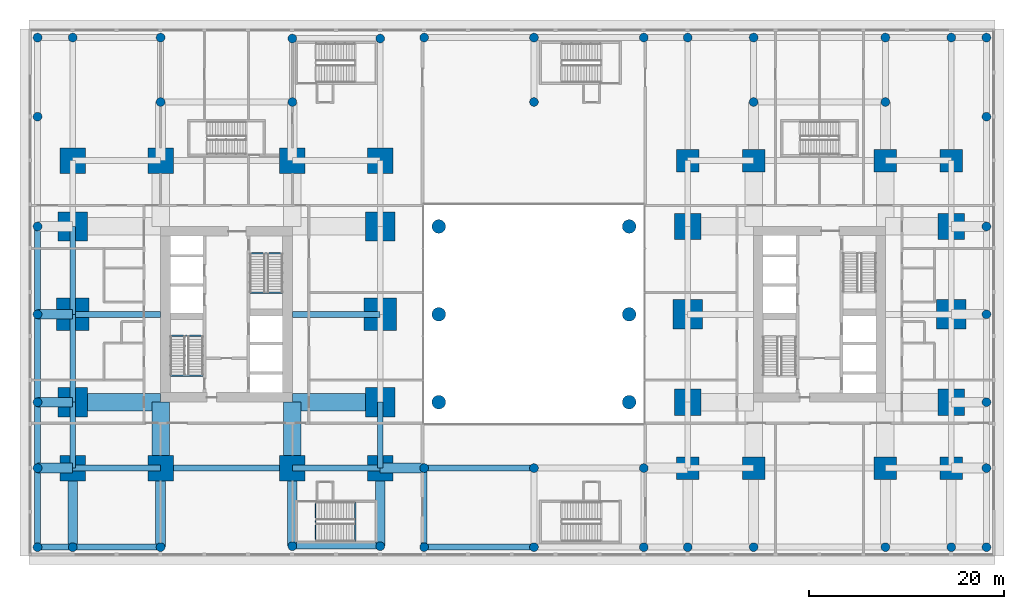
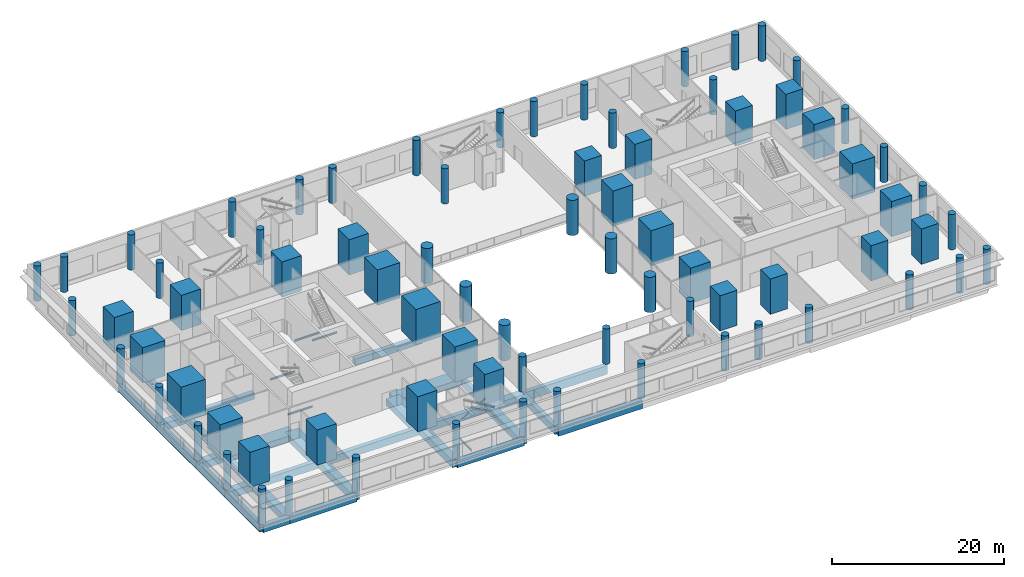
# One storey, part 1 of 21: 78 columns, 37 beams.
"""IFC4 building model written with IfcOpenShell, lengths in metres."""

from ifc_helpers import new_model, si_unit, direction, frame, origin, origin_2d, place, context, subcontext, project, spatial, rectangle, circle, i_section, extrude, material, material_profile, profile_set, type_object, element, save


model = new_model("IFC4")

# Units and contexts
model_context = context("Model", 3, precision=1e-05, world=origin(), true_north=direction((0.0, 1.0)))
body_context = subcontext(model_context, "Body", "Model", "MODEL_VIEW")
ifc_project = project(units=[si_unit("LENGTHUNIT", "METRE"), si_unit("AREAUNIT", "SQUARE_METRE"), si_unit("VOLUMEUNIT", "CUBIC_METRE"), si_unit("PLANEANGLEUNIT", "RADIAN"), si_unit("MASSUNIT", "GRAM", prefix="KILO")], contexts=[model_context])

# Site, building, storey
site_placement = place(None, origin())
site = spatial("IfcSite", under=ifc_project, at=site_placement, CompositionType="ELEMENT")
building_placement = place(site_placement, origin())
building = spatial("IfcBuilding", under=site, at=building_placement, Name="Namib Vertical Campus", CompositionType="ELEMENT")
storey_placement = place(building_placement, frame((0.0, 0.0, 6.0)))
storey = spatial("IfcBuildingStorey", under=building, at=storey_placement, Name="L01", CompositionType="ELEMENT", Elevation=6.0)

# Columns
ifc_material_1 = material(Name="Concrete C60/75", Category="concrete")
ifc_material_profile_1 = material_profile(ifc_material_1, circle(Radius=0.699951171875, at=origin_2d()))
ifc_profile_set_1 = profile_set([ifc_material_profile_1], Name="Concrete C60/75")
column_type_1 = type_object("IfcColumnType", Name="Atrium column RC D1400", PredefinedType="COLUMN", material=ifc_profile_set_1)
for number, where, z_axis, x_axis, name in (
    (1, (42.0, 11.25, 0.0), (0.0, 0.0, 1.0), (1.0, 0.0, 0.0), "Column PC14 L01"),
    (2, (61.5, 11.25, 0.0), (0.0, 0.0, 1.0), (1.0, 0.0, 0.0), "Column PC14 L01"),
    (3, (42.0, 20.25, 0.0), (0.0, 0.0, 1.0), (1.0, 0.0, 0.0), "Column PC14 L01"),
    (4, (61.5, 20.25, 0.0), (0.0, 0.0, 1.0), (1.0, 0.0, 0.0), "Column PC14 L01"),
    (5, (42.0, 29.25, 0.0), (0.0, 0.0, 1.0), (1.0, 0.0, 0.0), "Column PC14 L01"),
    (6, (61.5, 29.25, 0.0), (0.0, 0.0, 1.0), (1.0, 0.0, 0.0), "Column PC14 L01"),
):
    element("IfcColumn", number, at=place(storey_placement, frame(where, z_axis=z_axis, x_axis=x_axis)), inside=storey, type_object=column_type_1, Name=name, PredefinedType="COLUMN", context=body_context, shape_type="SweptSolid", body=[
        extrude(circle(Radius=0.699951171875, at=origin_2d()), origin(), (0.0, 0.0, 1.0), 5.0),
    ])
ifc_material_2 = material(Name="Concrete C60/75", Category="concrete")
ifc_material_profile_2 = material_profile(ifc_material_2, rectangle(XDim=2.300048828125, YDim=2.300048828125, at=origin_2d()))
ifc_profile_set_2 = profile_set([ifc_material_profile_2], Name="Concrete C60/75")
column_type_2 = type_object("IfcColumnType", Name="Column RC 2300x2300", PredefinedType="COLUMN", material=ifc_profile_set_2)
for number, where, z_axis, x_axis, name in (
    (7, (67.5, 4.5, 0.0), (0.0, 0.0, 1.0), (1.0, 0.0, 0.0), "Column C230 L01"),
    (8, (74.25, 4.5, 0.0), (0.0, 0.0, 1.0), (1.0, 0.0, 0.0), "Column C230 L01"),
    (9, (87.75, 4.5, 0.0), (0.0, 0.0, 1.0), (1.0, 0.0, 0.0), "Column C230 L01"),
    (10, (94.5, 4.5, 0.0), (0.0, 0.0, 1.0), (1.0, 0.0, 0.0), "Column C230 L01"),
    (11, (67.5, 36.0, 0.0), (0.0, 0.0, 1.0), (1.0, 0.0, 0.0), "Column C230 L01"),
    (12, (74.25, 36.0, 0.0), (0.0, 0.0, 1.0), (1.0, 0.0, 0.0), "Column C230 L01"),
    (13, (87.75, 36.0, 0.0), (0.0, 0.0, 1.0), (1.0, 0.0, 0.0), "Column C230 L01"),
    (14, (94.5, 36.0, 0.0), (0.0, 0.0, 1.0), (1.0, 0.0, 0.0), "Column C230 L01"),
):
    element("IfcColumn", number, at=place(storey_placement, frame(where, z_axis=z_axis, x_axis=x_axis)), inside=storey, type_object=column_type_2, Name=name, PredefinedType="COLUMN", context=body_context, shape_type="SweptSolid", body=[
        extrude(rectangle(XDim=2.300048828125, YDim=2.300048828125, at=origin_2d()), origin(), (0.0, 0.0, 1.0), 5.0),
    ])
ifc_material_3 = material(Name="Concrete C60/75", Category="concrete")
ifc_material_profile_3 = material_profile(ifc_material_3, rectangle(XDim=2.60009765625, YDim=2.60009765625, at=origin_2d()))
ifc_profile_set_3 = profile_set([ifc_material_profile_3], Name="Concrete C60/75")
column_type_3 = type_object("IfcColumnType", Name="Column RC 2600x2600", PredefinedType="COLUMN", material=ifc_profile_set_3)
for number, where, z_axis, x_axis, name in (
    (15, (4.5, 4.5, 0.0), (0.0, 0.0, 1.0), (1.0, 0.0, 0.0), "Column C260 L01"),
    (16, (13.5, 4.5, 0.0), (0.0, 0.0, 1.0), (1.0, 0.0, 0.0), "Column C260 L01"),
    (17, (27.0, 4.5, 0.0), (0.0, 0.0, 1.0), (1.0, 0.0, 0.0), "Column C260 L01"),
    (18, (36.0, 4.5, 0.0), (0.0, 0.0, 1.0), (1.0, 0.0, 0.0), "Column C260 L01"),
    (19, (4.5, 36.0, 0.0), (0.0, 0.0, 1.0), (1.0, 0.0, 0.0), "Column C260 L01"),
    (20, (13.5, 36.0, 0.0), (0.0, 0.0, 1.0), (1.0, 0.0, 0.0), "Column C260 L01"),
    (21, (27.0, 36.0, 0.0), (0.0, 0.0, 1.0), (1.0, 0.0, 0.0), "Column C260 L01"),
    (22, (36.0, 36.0, 0.0), (0.0, 0.0, 1.0), (1.0, 0.0, 0.0), "Column C260 L01"),
):
    element("IfcColumn", number, at=place(storey_placement, frame(where, z_axis=z_axis, x_axis=x_axis)), inside=storey, type_object=column_type_3, Name=name, PredefinedType="COLUMN", context=body_context, shape_type="SweptSolid", body=[
        extrude(rectangle(XDim=2.60009765625, YDim=2.60009765625, at=origin_2d()), origin(), (0.0, 0.0, 1.0), 5.0),
    ])
ifc_material_4 = material(Name="Concrete C60/75", Category="concrete")
ifc_material_profile_4 = material_profile(ifc_material_4, rectangle(XDim=2.699951171875, YDim=2.699951171875, at=origin_2d()))
ifc_profile_set_4 = profile_set([ifc_material_profile_4], Name="Concrete C60/75")
column_type_4 = type_object("IfcColumnType", Name="Column RC 2700x2700", PredefinedType="COLUMN", material=ifc_profile_set_4)
for number, where, z_axis, x_axis, name in (
    (23, (67.5, 11.25, 0.0), (0.0, 0.0, 1.0), (1.0, 0.0, 0.0), "Column C270 L01"),
    (24, (94.5, 11.25, 0.0), (0.0, 0.0, 1.0), (1.0, 0.0, 0.0), "Column C270 L01"),
    (25, (67.5, 29.25, 0.0), (0.0, 0.0, 1.0), (1.0, 0.0, 0.0), "Column C270 L01"),
    (26, (94.5, 29.25, 0.0), (0.0, 0.0, 1.0), (1.0, 0.0, 0.0), "Column C270 L01"),
):
    element("IfcColumn", number, at=place(storey_placement, frame(where, z_axis=z_axis, x_axis=x_axis)), inside=storey, type_object=column_type_4, Name=name, PredefinedType="COLUMN", context=body_context, shape_type="SweptSolid", body=[
        extrude(rectangle(XDim=2.699951171875, YDim=2.699951171875, at=origin_2d()), origin(), (0.0, 0.0, 1.0), 5.0),
    ])
ifc_material_5 = material(Name="Concrete C60/75", Category="concrete")
ifc_material_profile_5 = material_profile(ifc_material_5, rectangle(XDim=3.0, YDim=3.0, at=origin_2d()))
ifc_profile_set_5 = profile_set([ifc_material_profile_5], Name="Concrete C60/75")
column_type_5 = type_object("IfcColumnType", Name="Column RC 3000x3000", PredefinedType="COLUMN", material=ifc_profile_set_5)
for number, where, z_axis, x_axis, name in (
    (27, (4.5, 11.25, 0.0), (0.0, 0.0, 1.0), (1.0, 0.0, 0.0), "Column C300 L01"),
    (28, (36.0, 11.25, 0.0), (0.0, 0.0, 1.0), (1.0, 0.0, 0.0), "Column C300 L01"),
    (29, (4.5, 29.25, 0.0), (0.0, 0.0, 1.0), (1.0, 0.0, 0.0), "Column C300 L01"),
    (30, (36.0, 29.25, 0.0), (0.0, 0.0, 1.0), (1.0, 0.0, 0.0), "Column C300 L01"),
    (31, (67.5, 20.25, 0.0), (0.0, 0.0, 1.0), (1.0, 0.0, 0.0), "Column C300 L01"),
    (32, (94.5, 20.25, 0.0), (0.0, 0.0, 1.0), (1.0, 0.0, 0.0), "Column C300 L01"),
):
    element("IfcColumn", number, at=place(storey_placement, frame(where, z_axis=z_axis, x_axis=x_axis)), inside=storey, type_object=column_type_5, Name=name, PredefinedType="COLUMN", context=body_context, shape_type="SweptSolid", body=[
        extrude(rectangle(XDim=3.0, YDim=3.0, at=origin_2d()), origin(), (0.0, 0.0, 1.0), 5.0),
    ])
ifc_material_6 = material(Name="Concrete C60/75", Category="concrete")
ifc_material_profile_6 = material_profile(ifc_material_6, rectangle(XDim=3.300048828125, YDim=3.300048828125, at=origin_2d()))
ifc_profile_set_6 = profile_set([ifc_material_profile_6], Name="Concrete C60/75")
column_type_6 = type_object("IfcColumnType", Name="Column RC 3300x3300", PredefinedType="COLUMN", material=ifc_profile_set_6)
for number, where, z_axis, x_axis, name in (
    (33, (4.5, 20.25, 0.0), (0.0, 0.0, 1.0), (1.0, 0.0, 0.0), "Column C330 L01"),
    (34, (36.0, 20.25, 0.0), (0.0, 0.0, 1.0), (1.0, 0.0, 0.0), "Column C330 L01"),
):
    element("IfcColumn", number, at=place(storey_placement, frame(where, z_axis=z_axis, x_axis=x_axis)), inside=storey, type_object=column_type_6, Name=name, PredefinedType="COLUMN", context=body_context, shape_type="SweptSolid", body=[
        extrude(rectangle(XDim=3.300048828125, YDim=3.300048828125, at=origin_2d()), origin(), (0.0, 0.0, 1.0), 5.0),
    ])
ifc_material_7 = material(Name="Concrete C60/75", Category="concrete")
ifc_material_profile_7 = material_profile(ifc_material_7, circle(Radius=0.449951171875, at=origin_2d()))
ifc_profile_set_7 = profile_set([ifc_material_profile_7], Name="Concrete C60/75")
column_type_7 = type_object("IfcColumnType", Name="Podium column RC D900", PredefinedType="COLUMN", material=ifc_profile_set_7)
for number, where, z_axis, x_axis, name in (
    (35, (0.89990234375, -3.60009765625, 0.0), (0.0, 0.0, 1.0), (1.0, 0.0, 0.0), "Column PC9 L01"),
    (36, (4.5, -3.60009765625, 0.0), (0.0, 0.0, 1.0), (1.0, 0.0, 0.0), "Column PC9 L01"),
    (37, (13.5, -3.60009765625, 0.0), (0.0, 0.0, 1.0), (1.0, 0.0, 0.0), "Column PC9 L01"),
    (38, (27.0, -3.5, 0.0), (0.0, 0.0, 1.0), (1.0, 0.0, 0.0), "Column PC9 L01"),
    (39, (36.0, -3.5, 0.0), (0.0, 0.0, 1.0), (1.0, 0.0, 0.0), "Column PC9 L01"),
    (40, (40.5, -3.60009765625, 0.0), (0.0, 0.0, 1.0), (1.0, 0.0, 0.0), "Column PC9 L01"),
    (41, (51.75, -3.60009765625, 0.0), (0.0, 0.0, 1.0), (1.0, 0.0, 0.0), "Column PC9 L01"),
    (42, (63.0, -3.60009765625, 0.0), (0.0, 0.0, 1.0), (1.0, 0.0, 0.0), "Column PC9 L01"),
    (43, (67.5, -3.60009765625, 0.0), (0.0, 0.0, 1.0), (1.0, 0.0, 0.0), "Column PC9 L01"),
    (44, (74.25, -3.60009765625, 0.0), (0.0, 0.0, 1.0), (1.0, 0.0, 0.0), "Column PC9 L01"),
    (45, (87.75, -3.60009765625, 0.0), (0.0, 0.0, 1.0), (1.0, 0.0, 0.0), "Column PC9 L01"),
    (46, (94.5, -3.60009765625, 0.0), (0.0, 0.0, 1.0), (1.0, 0.0, 0.0), "Column PC9 L01"),
    (47, (98.10009765625, -3.60009765625, 0.0), (0.0, 0.0, 1.0), (1.0, 0.0, 0.0), "Column PC9 L01"),
    (48, (0.89990234375, 4.5, 0.0), (0.0, 0.0, 1.0), (1.0, 0.0, 0.0), "Column PC9 L01"),
    (49, (40.5, 4.5, 0.0), (0.0, 0.0, 1.0), (1.0, 0.0, 0.0), "Column PC9 L01"),
    (50, (51.75, 4.5, 0.0), (0.0, 0.0, 1.0), (1.0, 0.0, 0.0), "Column PC9 L01"),
    (51, (63.0, 4.5, 0.0), (0.0, 0.0, 1.0), (1.0, 0.0, 0.0), "Column PC9 L01"),
    (52, (98.10009765625, 4.5, 0.0), (0.0, 0.0, 1.0), (1.0, 0.0, 0.0), "Column PC9 L01"),
    (53, (0.89990234375, 11.25, 0.0), (0.0, 0.0, 1.0), (1.0, 0.0, 0.0), "Column PC9 L01"),
    (54, (98.10009765625, 11.25, 0.0), (0.0, 0.0, 1.0), (1.0, 0.0, 0.0), "Column PC9 L01"),
    (55, (0.89990234375, 20.25, 0.0), (0.0, 0.0, 1.0), (1.0, 0.0, 0.0), "Column PC9 L01"),
    (56, (98.10009765625, 20.25, 0.0), (0.0, 0.0, 1.0), (1.0, 0.0, 0.0), "Column PC9 L01"),
    (57, (0.89990234375, 29.25, 0.0), (0.0, 0.0, 1.0), (1.0, 0.0, 0.0), "Column PC9 L01"),
    (58, (98.10009765625, 29.25, 0.0), (0.0, 0.0, 1.0), (1.0, 0.0, 0.0), "Column PC9 L01"),
    (59, (0.89990234375, 40.5, 0.0), (0.0, 0.0, 1.0), (1.0, 0.0, 0.0), "Column PC9 L01"),
    (60, (13.5, 42.0, 0.0), (0.0, 0.0, 1.0), (1.0, 0.0, 0.0), "Column PC9 L01"),
    (61, (27.0, 42.0, 0.0), (0.0, 0.0, 1.0), (1.0, 0.0, 0.0), "Column PC9 L01"),
    (62, (51.75, 42.0, 0.0), (0.0, 0.0, 1.0), (1.0, 0.0, 0.0), "Column PC9 L01"),
    (63, (74.25, 42.0, 0.0), (0.0, 0.0, 1.0), (1.0, 0.0, 0.0), "Column PC9 L01"),
    (64, (87.75, 42.0, 0.0), (0.0, 0.0, 1.0), (1.0, 0.0, 0.0), "Column PC9 L01"),
    (65, (98.10009765625, 40.5, 0.0), (0.0, 0.0, 1.0), (1.0, 0.0, 0.0), "Column PC9 L01"),
    (66, (0.89990234375, 48.60009765625, 0.0), (0.0, 0.0, 1.0), (1.0, 0.0, 0.0), "Column PC9 L01"),
    (67, (4.5, 48.60009765625, 0.0), (0.0, 0.0, 1.0), (1.0, 0.0, 0.0), "Column PC9 L01"),
    (68, (13.5, 48.60009765625, 0.0), (0.0, 0.0, 1.0), (1.0, 0.0, 0.0), "Column PC9 L01"),
    (69, (27.0, 48.5, 0.0), (0.0, 0.0, 1.0), (1.0, 0.0, 0.0), "Column PC9 L01"),
    (70, (36.0, 48.5, 0.0), (0.0, 0.0, 1.0), (1.0, 0.0, 0.0), "Column PC9 L01"),
    (71, (40.5, 48.60009765625, 0.0), (0.0, 0.0, 1.0), (1.0, 0.0, 0.0), "Column PC9 L01"),
    (72, (51.75, 48.60009765625, 0.0), (0.0, 0.0, 1.0), (1.0, 0.0, 0.0), "Column PC9 L01"),
    (73, (63.0, 48.60009765625, 0.0), (0.0, 0.0, 1.0), (1.0, 0.0, 0.0), "Column PC9 L01"),
    (74, (67.5, 48.60009765625, 0.0), (0.0, 0.0, 1.0), (1.0, 0.0, 0.0), "Column PC9 L01"),
    (75, (74.25, 48.60009765625, 0.0), (0.0, 0.0, 1.0), (1.0, 0.0, 0.0), "Column PC9 L01"),
    (76, (87.75, 48.60009765625, 0.0), (0.0, 0.0, 1.0), (1.0, 0.0, 0.0), "Column PC9 L01"),
    (77, (94.5, 48.60009765625, 0.0), (0.0, 0.0, 1.0), (1.0, 0.0, 0.0), "Column PC9 L01"),
    (78, (98.10009765625, 48.60009765625, 0.0), (0.0, 0.0, 1.0), (1.0, 0.0, 0.0), "Column PC9 L01"),
):
    element("IfcColumn", number, at=place(storey_placement, frame(where, z_axis=z_axis, x_axis=x_axis)), inside=storey, type_object=column_type_7, Name=name, PredefinedType="COLUMN", context=body_context, shape_type="SweptSolid", body=[
        extrude(circle(Radius=0.449951171875, at=origin_2d()), origin(), (0.0, 0.0, 1.0), 5.0),
    ])

# Beams
ifc_material_8 = material(Name="Concrete C40/50", Category="concrete")
ifc_material_profile_8 = material_profile(ifc_material_8, rectangle(XDim=0.60009765625, YDim=0.89990234375, at=origin_2d()))
ifc_profile_set_8 = profile_set([ifc_material_profile_8], Name="Concrete C40/50")
beam_type_1 = type_object("IfcBeamType", Name="Floor girder RC 600x900", PredefinedType="BEAM", material=ifc_profile_set_8)
for number, where, z_axis, x_axis, name in (
    (79, (4.5, 20.25, -0.75), (1.0, 0.0, 0.0), (0.0, 1.0, 0.0), "Beam B2 L01"),
    (80, (36.0, 20.25, -0.75), (-1.0, 0.0, 0.0), (0.0, -1.0, 0.0), "Beam B2 L01"),
):
    element("IfcBeam", number, at=place(storey_placement, frame(where, z_axis=z_axis, x_axis=x_axis)), inside=storey, type_object=beam_type_1, Name=name, PredefinedType="BEAM", context=body_context, shape_type="SweptSolid", body=[
        extrude(rectangle(XDim=0.60009765625, YDim=0.89990234375, at=origin_2d()), origin(), (0.0, 0.0, 1.0), 9.0),
    ])
ifc_material_9 = material(Name="Steel S355JR", Category="steel")
ifc_material_profile_9 = material_profile(ifc_material_9, i_section(OverallWidth=0.14599609375, OverallDepth=0.25146484375, WebThickness=0.006103515625, FlangeThickness=0.008544921875, FilletRadius=0.007568359375, at=origin_2d()))
ifc_profile_set_9 = profile_set([ifc_material_profile_9], Name="Steel S355JR")
beam_type_2 = type_object("IfcBeamType", Name="Landing trimmer UB 254x146x31", PredefinedType="BEAM", material=ifc_profile_set_9)
for number, where, z_axis, x_axis, name in (
    (81, (14.5, 13.97705078125, -0.125732421875), (1.0, 0.0, 0.0), (0.0, 1.0, 0.0), "Landing trimmer LT1 A-S1 L01 1"),
    (82, (14.5, 18.04296875, 2.374267578125), (1.0, 0.0, 0.0), (0.0, 1.0, 0.0), "Landing trimmer LT1 A-S1 L01 2"),
    (83, (22.64990234375, 26.52294921875, -0.125732421875), (1.0, 0.0, 0.0), (0.0, 1.0, 0.0), "Landing trimmer LT1 A-S2 L01 1"),
    (84, (22.64990234375, 22.45703125, 2.374267578125), (1.0, 0.0, 0.0), (0.0, 1.0, 0.0), "Landing trimmer LT1 A-S2 L01 2"),
):
    element("IfcBeam", number, at=place(storey_placement, frame(where, z_axis=z_axis, x_axis=x_axis)), inside=storey, type_object=beam_type_2, Name=name, PredefinedType="BEAM", context=body_context, shape_type="SweptSolid", body=[
        extrude(i_section(OverallWidth=0.14599609375, OverallDepth=0.25146484375, WebThickness=0.006103515625, FlangeThickness=0.008544921875, FilletRadius=0.007568359375, at=origin_2d()), origin(), (0.0, 0.0, 1.0), 3.35009765625),
    ])
for number, where, z_axis, x_axis, name in (
    (85, (29.373046875, -3.0, -0.125732421875), (0.0, 1.0, 0.0), (-1.0, 0.0, 0.0), "Landing trimmer LT1 P-S2 L01 1"),
    (86, (33.439208984375, -3.0, 2.374267578125), (0.0, 1.0, 0.0), (-1.0, 0.0, 0.0), "Landing trimmer LT1 P-S2 L01 2"),
):
    element("IfcBeam", number, at=place(storey_placement, frame(where, z_axis=z_axis, x_axis=x_axis)), inside=storey, type_object=beam_type_2, Name=name, PredefinedType="BEAM", context=body_context, shape_type="SweptSolid", body=[
        extrude(i_section(OverallWidth=0.14599609375, OverallDepth=0.25146484375, WebThickness=0.006103515625, FlangeThickness=0.008544921875, FilletRadius=0.007568359375, at=origin_2d()), origin(), (0.0, 0.0, 1.0), 4.0),
    ])
ifc_material_10 = material(Name="Concrete C40/50", Category="concrete")
ifc_material_profile_10 = material_profile(ifc_material_10, rectangle(XDim=0.60009765625, YDim=1.199951171875, at=origin_2d()))
ifc_profile_set_10 = profile_set([ifc_material_profile_10], Name="Concrete C40/50")
beam_type_3 = type_object("IfcBeamType", Name="Long-span podium beam RC 600x1200", PredefinedType="BEAM", material=ifc_profile_set_10)
for number, where, z_axis, x_axis, name in (
    (87, (40.5, -3.60009765625, -0.89990234375), (1.0, 0.0, 0.0), (0.0, 1.0, 0.0), "Beam PB4 L01"),
    (88, (40.5, 4.5, -0.89990234375), (1.0, 0.0, 0.0), (0.0, 1.0, 0.0), "Beam PB4 L01"),
):
    element("IfcBeam", number, at=place(storey_placement, frame(where, z_axis=z_axis, x_axis=x_axis)), inside=storey, type_object=beam_type_3, Name=name, PredefinedType="BEAM", context=body_context, shape_type="SweptSolid", body=[
        extrude(rectangle(XDim=0.60009765625, YDim=1.199951171875, at=origin_2d()), origin(), (0.0, 0.0, 1.0), 11.25),
    ])
ifc_material_11 = material(Name="Concrete C40/50", Category="concrete")
ifc_material_profile_11 = material_profile(ifc_material_11, rectangle(XDim=1.800048828125, YDim=0.89990234375, at=origin_2d()))
ifc_profile_set_11 = profile_set([ifc_material_profile_11], Name="Concrete C40/50")
beam_type_4 = type_object("IfcBeamType", Name="Outrigger line girder RC 1800x900", PredefinedType="BEAM", material=ifc_profile_set_11)
for number, where, z_axis, x_axis, name in (
    (89, (13.5, 4.5, -0.75), (0.0, 1.0, 0.0), (-1.0, 0.0, 0.0), "Beam B12 L01"),
    (90, (27.0, 4.5, -0.75), (0.0, 1.0, 0.0), (-1.0, 0.0, 0.0), "Beam B12 L01"),
):
    element("IfcBeam", number, at=place(storey_placement, frame(where, z_axis=z_axis, x_axis=x_axis)), inside=storey, type_object=beam_type_4, Name=name, PredefinedType="BEAM", context=body_context, shape_type="SweptSolid", body=[
        extrude(rectangle(XDim=1.800048828125, YDim=0.89990234375, at=origin_2d()), origin(), (0.0, 0.0, 1.0), 6.75),
    ])
for number, where, z_axis, x_axis, name in (
    (91, (4.5, 11.25, -0.75), (1.0, 0.0, 0.0), (0.0, 1.0, 0.0), "Beam B12 L01"),
    (92, (36.0, 11.25, -0.75), (-1.0, 0.0, 0.0), (0.0, -1.0, 0.0), "Beam B12 L01"),
):
    element("IfcBeam", number, at=place(storey_placement, frame(where, z_axis=z_axis, x_axis=x_axis)), inside=storey, type_object=beam_type_4, Name=name, PredefinedType="BEAM", context=body_context, shape_type="SweptSolid", body=[
        extrude(rectangle(XDim=1.800048828125, YDim=0.89990234375, at=origin_2d()), origin(), (0.0, 0.0, 1.0), 9.0),
    ])
ifc_material_12 = material(Name="Concrete C40/50", Category="concrete")
ifc_material_profile_12 = material_profile(ifc_material_12, rectangle(XDim=0.60009765625, YDim=1.0, at=origin_2d()))
ifc_profile_set_12 = profile_set([ifc_material_profile_12], Name="Concrete C40/50")
beam_type_5 = type_object("IfcBeamType", Name="Podium beam RC 600x1000", PredefinedType="BEAM", material=ifc_profile_set_12)
beam_1_placement = place(storey_placement, frame((0.89990234375, -3.60009765625, -0.800048828125), z_axis=(0.0, 1.0, 0.0), x_axis=(-1.0, 0.0, 0.0)))
element("IfcBeam", 93, at=beam_1_placement, inside=storey, type_object=beam_type_5, Name="Beam PB1 L01", PredefinedType="BEAM", context=body_context, shape_type="SweptSolid", body=[
    extrude(rectangle(XDim=0.60009765625, YDim=1.0, at=origin_2d()), origin(), (0.0, 0.0, 1.0), 8.10009765625),
])
beam_2_placement = place(storey_placement, frame((0.89990234375, 4.5, -0.800048828125), z_axis=(0.0, 1.0, 0.0), x_axis=(-1.0, 0.0, 0.0)))
element("IfcBeam", 94, at=beam_2_placement, inside=storey, type_object=beam_type_5, Name="Beam PB1 L01", PredefinedType="BEAM", context=body_context, shape_type="SweptSolid", body=[
    extrude(rectangle(XDim=0.60009765625, YDim=1.0, at=origin_2d()), origin(), (0.0, 0.0, 1.0), 6.75),
])
for number, where, z_axis, x_axis, name in (
    (95, (0.89990234375, 11.25, -0.800048828125), (0.0, 1.0, 0.0), (-1.0, 0.0, 0.0), "Beam PB1 L01"),
    (96, (0.89990234375, 20.25, -0.800048828125), (0.0, 1.0, 0.0), (-1.0, 0.0, 0.0), "Beam PB1 L01"),
):
    element("IfcBeam", number, at=place(storey_placement, frame(where, z_axis=z_axis, x_axis=x_axis)), inside=storey, type_object=beam_type_5, Name=name, PredefinedType="BEAM", context=body_context, shape_type="SweptSolid", body=[
        extrude(rectangle(XDim=0.60009765625, YDim=1.0, at=origin_2d()), origin(), (0.0, 0.0, 1.0), 9.0),
    ])
beam_3_placement = place(storey_placement, frame((40.5, -3.60009765625, -0.800048828125), z_axis=(0.0, 1.0, 0.0), x_axis=(-1.0, 0.0, 0.0)))
element("IfcBeam", 97, at=beam_3_placement, inside=storey, type_object=beam_type_5, Name="Beam PB1 L01", PredefinedType="BEAM", context=body_context, shape_type="SweptSolid", body=[
    extrude(rectangle(XDim=0.60009765625, YDim=1.0, at=origin_2d()), origin(), (0.0, 0.0, 1.0), 8.10009765625),
])
beam_4_placement = place(storey_placement, frame((0.89990234375, -3.60009765625, -0.800048828125), z_axis=(1.0, 0.0, 0.0), x_axis=(0.0, 1.0, 0.0)))
element("IfcBeam", 98, at=beam_4_placement, inside=storey, type_object=beam_type_5, Name="Beam PB1 L01", PredefinedType="BEAM", context=body_context, shape_type="SweptSolid", body=[
    extrude(rectangle(XDim=0.60009765625, YDim=1.0, at=origin_2d()), origin(), (0.0, 0.0, 1.0), 3.60009765625),
])
for number, where, z_axis, x_axis, name in (
    (99, (4.5, -3.60009765625, -0.800048828125), (1.0, 0.0, 0.0), (0.0, 1.0, 0.0), "Beam PB1 L01"),
    (100, (27.0, -3.5, -0.800048828125), (1.0, 0.0, 0.0), (0.0, 1.0, 0.0), "Beam PB1 L01"),
):
    element("IfcBeam", number, at=place(storey_placement, frame(where, z_axis=z_axis, x_axis=x_axis)), inside=storey, type_object=beam_type_5, Name=name, PredefinedType="BEAM", context=body_context, shape_type="SweptSolid", body=[
        extrude(rectangle(XDim=0.60009765625, YDim=1.0, at=origin_2d()), origin(), (0.0, 0.0, 1.0), 9.0),
    ])
ifc_material_13 = material(Name="Concrete C40/50", Category="concrete")
ifc_material_profile_13 = material_profile(ifc_material_13, rectangle(XDim=0.60009765625, YDim=1.0, at=origin_2d()))
ifc_profile_set_13 = profile_set([ifc_material_profile_13], Name="Concrete C40/50")
beam_type_6 = type_object("IfcBeamType", Name="Podium ring beam RC 600x1000", PredefinedType="BEAM", material=ifc_profile_set_13)
beam_5_placement = place(storey_placement, frame((4.5, 4.5, -0.800048828125), z_axis=(1.0, 0.0, 0.0), x_axis=(0.0, 1.0, 0.0)))
element("IfcBeam", 101, at=beam_5_placement, inside=storey, type_object=beam_type_6, Name="Beam B6 L01", PredefinedType="BEAM", context=body_context, shape_type="SweptSolid", body=[
    extrude(rectangle(XDim=0.60009765625, YDim=1.0, at=origin_2d()), origin(), (0.0, 0.0, 1.0), 9.0),
])
beam_6_placement = place(storey_placement, frame((13.5, 4.5, -0.800048828125), z_axis=(1.0, 0.0, 0.0), x_axis=(0.0, 1.0, 0.0)))
element("IfcBeam", 102, at=beam_6_placement, inside=storey, type_object=beam_type_6, Name="Beam B6 L01", PredefinedType="BEAM", context=body_context, shape_type="SweptSolid", body=[
    extrude(rectangle(XDim=0.60009765625, YDim=1.0, at=origin_2d()), origin(), (0.0, 0.0, 1.0), 13.5),
])
beam_7_placement = place(storey_placement, frame((27.0, 4.5, -0.800048828125), z_axis=(1.0, 0.0, 0.0), x_axis=(0.0, 1.0, 0.0)))
element("IfcBeam", 103, at=beam_7_placement, inside=storey, type_object=beam_type_6, Name="Beam B6 L01", PredefinedType="BEAM", context=body_context, shape_type="SweptSolid", body=[
    extrude(rectangle(XDim=0.60009765625, YDim=1.0, at=origin_2d()), origin(), (0.0, 0.0, 1.0), 9.0),
])
beam_8_placement = place(storey_placement, frame((4.5, 4.5, -0.800048828125), z_axis=(0.0, 1.0, 0.0), x_axis=(-1.0, 0.0, 0.0)))
element("IfcBeam", 104, at=beam_8_placement, inside=storey, type_object=beam_type_6, Name="Beam B6 L01", PredefinedType="BEAM", context=body_context, shape_type="SweptSolid", body=[
    extrude(rectangle(XDim=0.60009765625, YDim=1.0, at=origin_2d()), origin(), (0.0, 0.0, 1.0), 6.75),
])
for number, where, z_axis, x_axis, name in (
    (105, (4.5, 11.25, -0.800048828125), (0.0, 1.0, 0.0), (-1.0, 0.0, 0.0), "Beam B6 L01"),
    (106, (4.5, 20.25, -0.800048828125), (0.0, 1.0, 0.0), (-1.0, 0.0, 0.0), "Beam B6 L01"),
):
    element("IfcBeam", number, at=place(storey_placement, frame(where, z_axis=z_axis, x_axis=x_axis)), inside=storey, type_object=beam_type_6, Name=name, PredefinedType="BEAM", context=body_context, shape_type="SweptSolid", body=[
        extrude(rectangle(XDim=0.60009765625, YDim=1.0, at=origin_2d()), origin(), (0.0, 0.0, 1.0), 9.0),
    ])
beam_9_placement = place(storey_placement, frame((36.0, 4.5, -0.800048828125), z_axis=(0.0, 1.0, 0.0), x_axis=(-1.0, 0.0, 0.0)))
element("IfcBeam", 107, at=beam_9_placement, inside=storey, type_object=beam_type_6, Name="Beam B6 L01", PredefinedType="BEAM", context=body_context, shape_type="SweptSolid", body=[
    extrude(rectangle(XDim=0.60009765625, YDim=1.0, at=origin_2d()), origin(), (0.0, 0.0, 1.0), 6.75),
])
ifc_material_14 = material(Name="Concrete C40/50", Category="concrete")
ifc_material_profile_14 = material_profile(ifc_material_14, rectangle(XDim=1.0, YDim=1.0, at=origin_2d()))
ifc_profile_set_14 = profile_set([ifc_material_profile_14], Name="Concrete C40/50")
beam_type_7 = type_object("IfcBeamType", Name="Podium tie beam RC 1000x1000", PredefinedType="BEAM", material=ifc_profile_set_14)
for number, where, z_axis, x_axis, name in (
    (108, (4.5, -3.60009765625, -0.800048828125), (0.0, 1.0, 0.0), (-1.0, 0.0, 0.0), "Beam PB3 L01"),
    (109, (13.5, -3.60009765625, -0.800048828125), (0.0, 1.0, 0.0), (-1.0, 0.0, 0.0), "Beam PB3 L01"),
):
    element("IfcBeam", number, at=place(storey_placement, frame(where, z_axis=z_axis, x_axis=x_axis)), inside=storey, type_object=beam_type_7, Name=name, PredefinedType="BEAM", context=body_context, shape_type="SweptSolid", body=[
        extrude(rectangle(XDim=1.0, YDim=1.0, at=origin_2d()), origin(), (0.0, 0.0, 1.0), 8.10009765625),
    ])
for number, where, z_axis, x_axis, name in (
    (110, (27.0, -3.5, -0.800048828125), (0.0, 1.0, 0.0), (-1.0, 0.0, 0.0), "Beam PB3 L01"),
    (111, (36.0, -3.5, -0.800048828125), (0.0, 1.0, 0.0), (-1.0, 0.0, 0.0), "Beam PB3 L01"),
):
    element("IfcBeam", number, at=place(storey_placement, frame(where, z_axis=z_axis, x_axis=x_axis)), inside=storey, type_object=beam_type_7, Name=name, PredefinedType="BEAM", context=body_context, shape_type="SweptSolid", body=[
        extrude(rectangle(XDim=1.0, YDim=1.0, at=origin_2d()), origin(), (0.0, 0.0, 1.0), 8.0),
    ])
beam_10_placement = place(storey_placement, frame((0.89990234375, 4.5, -0.800048828125), z_axis=(1.0, 0.0, 0.0), x_axis=(0.0, 1.0, 0.0)))
element("IfcBeam", 112, at=beam_10_placement, inside=storey, type_object=beam_type_7, Name="Beam PB3 L01", PredefinedType="BEAM", context=body_context, shape_type="SweptSolid", body=[
    extrude(rectangle(XDim=1.0, YDim=1.0, at=origin_2d()), origin(), (0.0, 0.0, 1.0), 3.60009765625),
])
beam_11_placement = place(storey_placement, frame((36.0, 4.5, -0.800048828125), z_axis=(1.0, 0.0, 0.0), x_axis=(0.0, 1.0, 0.0)))
element("IfcBeam", 113, at=beam_11_placement, inside=storey, type_object=beam_type_7, Name="Beam PB3 L01", PredefinedType="BEAM", context=body_context, shape_type="SweptSolid", body=[
    extrude(rectangle(XDim=1.0, YDim=1.0, at=origin_2d()), origin(), (0.0, 0.0, 1.0), 4.5),
])
for number, where, z_axis, x_axis, name in (
    (114, (0.89990234375, 11.25, -0.800048828125), (1.0, 0.0, 0.0), (0.0, 1.0, 0.0), "Beam PB3 L01"),
    (115, (0.89990234375, 20.25, -0.800048828125), (1.0, 0.0, 0.0), (0.0, 1.0, 0.0), "Beam PB3 L01"),
):
    element("IfcBeam", number, at=place(storey_placement, frame(where, z_axis=z_axis, x_axis=x_axis)), inside=storey, type_object=beam_type_7, Name=name, PredefinedType="BEAM", context=body_context, shape_type="SweptSolid", body=[
        extrude(rectangle(XDim=1.0, YDim=1.0, at=origin_2d()), origin(), (0.0, 0.0, 1.0), 3.60009765625),
    ])

save(model, "model.ifc")
